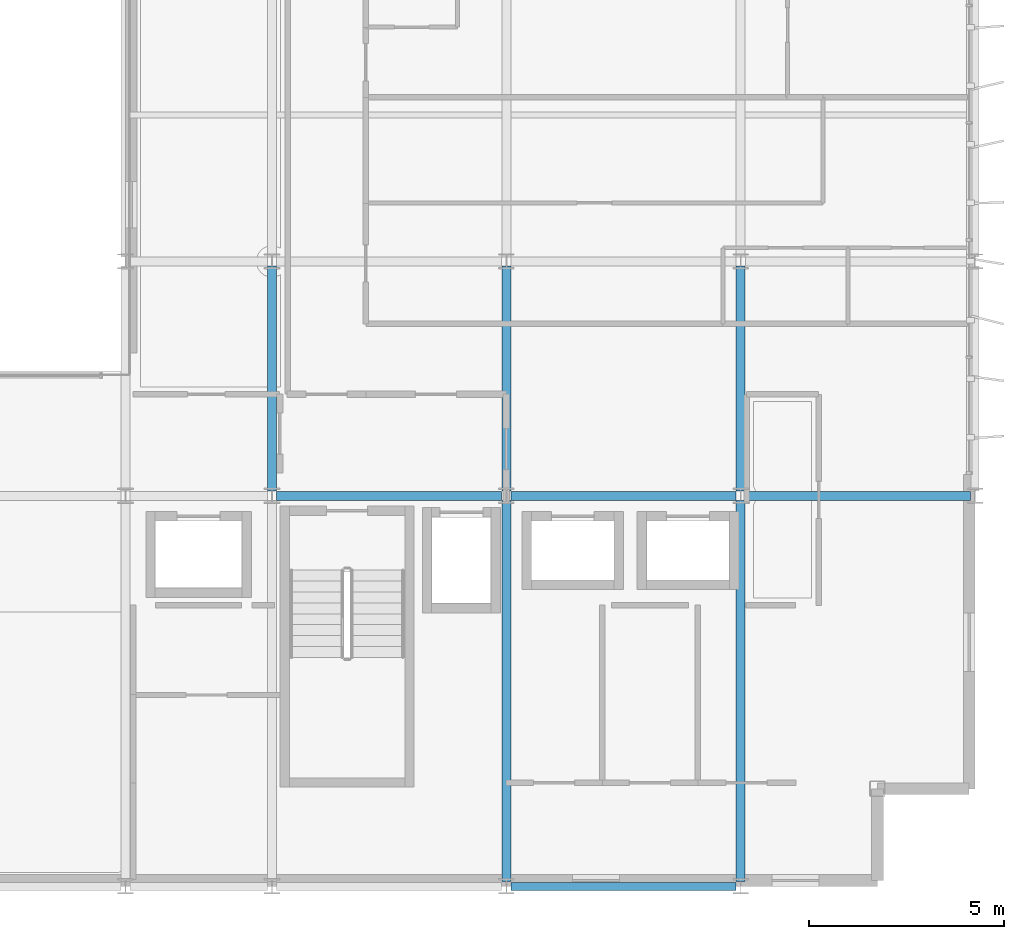
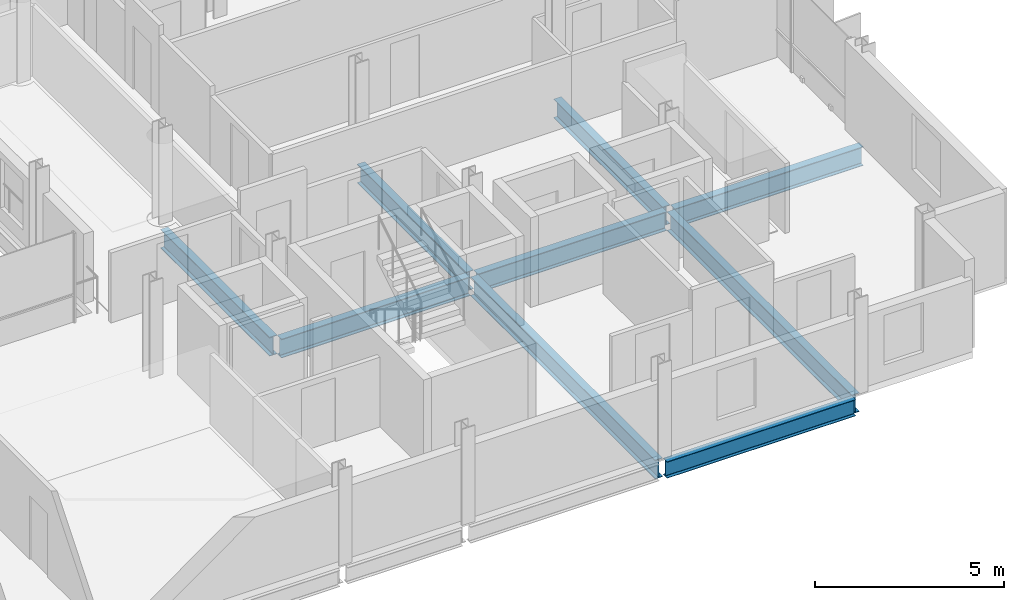
# One storey, part 16 of 38: 9 beams.
"""IFC4 building model written with IfcOpenShell, lengths in metres."""

from ifc_helpers import new_model, si_unit, direction, frame, origin, origin_2d, place, context, subcontext, project, spatial, i_section, extrude, material, material_profile, profile_set, type_object, element, save


model = new_model("IFC4")

# Units and contexts
model_context = context("Model", 3, precision=1e-05, world=origin(), true_north=direction((0.0, 1.0)))
body_context = subcontext(model_context, "Body", "Model", "MODEL_VIEW")
ifc_project = project(units=[si_unit("LENGTHUNIT", "METRE"), si_unit("AREAUNIT", "SQUARE_METRE"), si_unit("VOLUMEUNIT", "CUBIC_METRE"), si_unit("PLANEANGLEUNIT", "RADIAN"), si_unit("MASSUNIT", "GRAM", prefix="KILO")], contexts=[model_context])

# Site, building, storey
site_placement = place(None, origin())
site = spatial("IfcSite", under=ifc_project, at=site_placement, CompositionType="ELEMENT")
building_placement = place(site_placement, origin())
building = spatial("IfcBuilding", under=site, at=building_placement, Name="Brevholm Reach", CompositionType="ELEMENT")
storey_placement = place(building_placement, frame((0.0, 0.0, 172.800048828125)))
storey = spatial("IfcBuildingStorey", under=building, at=storey_placement, Name="L52", CompositionType="ELEMENT", Elevation=172.800048828125)

# Beams
ifc_material_1 = material(Name="Structural Steel S355J2", Category="steel")
ifc_material_profile_1 = material_profile(ifc_material_1, i_section(OverallWidth=0.209228515625, OverallDepth=0.533203125, WebThickness=0.010009765625, FlangeThickness=0.015625, FilletRadius=0.0126953125, at=origin_2d()), Name="UKB 533x210x92")
ifc_profile_set_1 = profile_set([ifc_material_profile_1], Name="Structural Steel S355J2")
beam_type_1 = type_object("IfcBeamType", Name="BM-SP533", PredefinedType="SPANDREL", material=ifc_profile_set_1)
beam_1_placement = place(storey_placement, frame((48.1201171875, 0.0, -0.4765625), z_axis=(1.0, 0.0, 0.0), x_axis=(0.0, 1.0, 0.0)))
element("IfcBeam", 1, at=beam_1_placement, inside=storey, type_object=beam_type_1, Name="L52 SP-02 Framing Beam", PredefinedType="SPANDREL", context=body_context, shape_type="SweptSolid", body=[
    extrude(i_section(OverallWidth=0.209228515625, OverallDepth=0.533203125, WebThickness=0.010009765625, FlangeThickness=0.015625, FilletRadius=0.0126953125, at=origin_2d()), origin(), (0.0, 0.0, 1.0), 5.759765625),
])
ifc_material_2 = material(Name="Structural Steel S355J2", Category="steel")
ifc_material_profile_2 = material_profile(ifc_material_2, i_section(OverallWidth=0.22900390625, OverallDepth=0.6123046875, WebThickness=0.011962890625, FlangeThickness=0.01953125, FilletRadius=0.0126953125, at=origin_2d()), Name="UKB 610x229x125")
ifc_profile_set_2 = profile_set([ifc_material_profile_2], Name="Structural Steel S355J2")
beam_type_2 = type_object("IfcBeamType", Name="BM-SP610", PredefinedType="SPANDREL", material=ifc_profile_set_2)
for number, where, z_axis, x_axis, name in (
    (2, (42.1201171875, 10.0, -0.51611328125), (1.0, 0.0, 0.0), (0.0, 1.0, 0.0), "L52 SP-01 Framing Beam"),
    (3, (48.1201171875, 10.0, -0.51611328125), (1.0, 0.0, 0.0), (0.0, 1.0, 0.0), "L52 SP-01 Framing Beam"),
    (4, (54.1201171875, 10.0, -0.51611328125), (1.0, 0.0, 0.0), (0.0, 1.0, 0.0), "L52 SP-01 Framing Beam"),
    (5, (42.0, 10.1201171875, -0.51611328125), (0.0, 1.0, 0.0), (-1.0, 0.0, 0.0), "L52 SP-01 Framing Beam"),
):
    element("IfcBeam", number, at=place(storey_placement, frame(where, z_axis=z_axis, x_axis=x_axis)), inside=storey, type_object=beam_type_2, Name=name, PredefinedType="SPANDREL", context=body_context, shape_type="SweptSolid", body=[
        extrude(i_section(OverallWidth=0.22900390625, OverallDepth=0.6123046875, WebThickness=0.011962890625, FlangeThickness=0.01953125, FilletRadius=0.0126953125, at=origin_2d()), origin(), (0.0, 0.0, 1.0), 5.759765625),
    ])
beam_2_placement = place(storey_placement, frame((48.0, 0.1201171875, -0.51611328125), z_axis=(0.0, 1.0, 0.0), x_axis=(-1.0, 0.0, 0.0)))
element("IfcBeam", 6, at=beam_2_placement, inside=storey, type_object=beam_type_2, Name="L52 SP-01 Framing Beam", PredefinedType="SPANDREL", context=body_context, shape_type="SweptSolid", body=[
    extrude(i_section(OverallWidth=0.22900390625, OverallDepth=0.6123046875, WebThickness=0.011962890625, FlangeThickness=0.01953125, FilletRadius=0.0126953125, at=origin_2d()), origin(), (0.0, 0.0, 1.0), 9.759765625),
])
beam_3_placement = place(storey_placement, frame((48.0, 10.1201171875, -0.51611328125), z_axis=(0.0, 1.0, 0.0), x_axis=(-1.0, 0.0, 0.0)))
element("IfcBeam", 7, at=beam_3_placement, inside=storey, type_object=beam_type_2, Name="L52 SP-01 Framing Beam", PredefinedType="SPANDREL", context=body_context, shape_type="SweptSolid", body=[
    extrude(i_section(OverallWidth=0.22900390625, OverallDepth=0.6123046875, WebThickness=0.011962890625, FlangeThickness=0.01953125, FilletRadius=0.0126953125, at=origin_2d()), origin(), (0.0, 0.0, 1.0), 5.759765625),
])
beam_4_placement = place(storey_placement, frame((54.0, 0.1201171875, -0.51611328125), z_axis=(0.0, 1.0, 0.0), x_axis=(-1.0, 0.0, 0.0)))
element("IfcBeam", 8, at=beam_4_placement, inside=storey, type_object=beam_type_2, Name="L52 SP-01 Framing Beam", PredefinedType="SPANDREL", context=body_context, shape_type="SweptSolid", body=[
    extrude(i_section(OverallWidth=0.22900390625, OverallDepth=0.6123046875, WebThickness=0.011962890625, FlangeThickness=0.01953125, FilletRadius=0.0126953125, at=origin_2d()), origin(), (0.0, 0.0, 1.0), 9.759765625),
])
beam_5_placement = place(storey_placement, frame((54.0, 10.1201171875, -0.51611328125), z_axis=(0.0, 1.0, 0.0), x_axis=(-1.0, 0.0, 0.0)))
element("IfcBeam", 9, at=beam_5_placement, inside=storey, type_object=beam_type_2, Name="L52 SP-01 Framing Beam", PredefinedType="SPANDREL", context=body_context, shape_type="SweptSolid", body=[
    extrude(i_section(OverallWidth=0.22900390625, OverallDepth=0.6123046875, WebThickness=0.011962890625, FlangeThickness=0.01953125, FilletRadius=0.0126953125, at=origin_2d()), origin(), (0.0, 0.0, 1.0), 5.759765625),
])

save(model, "model.ifc")
